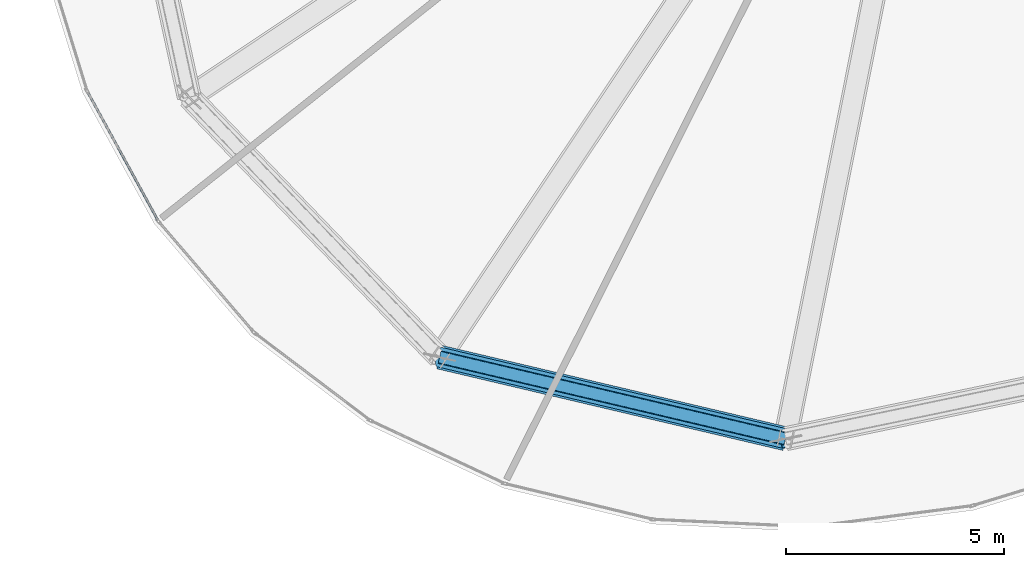
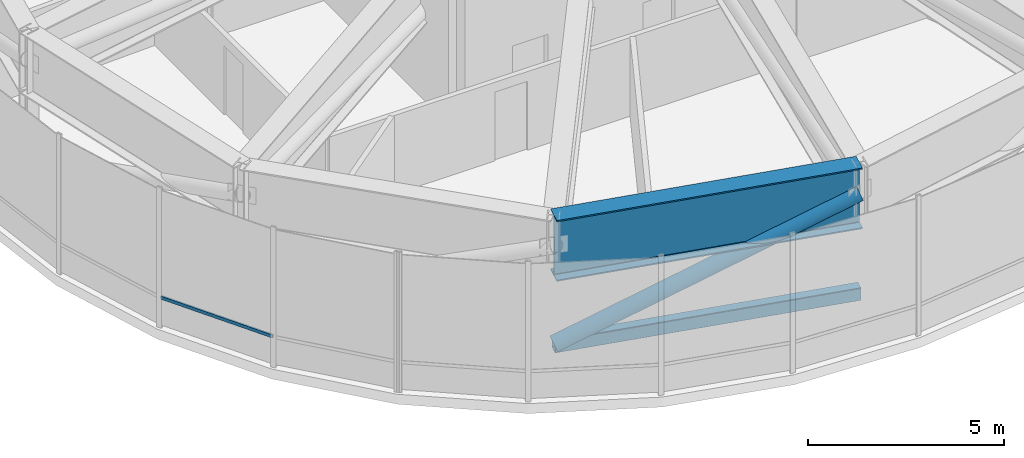
# One storey, part 3 of 26: 3 members, 1 beam, 1 element without a shape of its own.
"""IFC4 building model written with IfcOpenShell, lengths in metres."""

from ifc_helpers import new_model, si_unit, direction, frame, origin, origin_2d, place, context, subcontext, project, spatial, hollow_rectangle, hollow_circle, i_section, extrude, source, transform, mapped, material, layer, layer_set, material_profile, profile_set, type_object, element, aggregate, save


model = new_model("IFC4")

# Units and contexts
model_context = context("Model", 3, precision=1e-05, world=origin(), true_north=direction((0.0, 1.0)))
body_context = subcontext(model_context, "Body", "Model", "MODEL_VIEW")
ifc_project = project(units=[si_unit("LENGTHUNIT", "METRE"), si_unit("AREAUNIT", "SQUARE_METRE"), si_unit("VOLUMEUNIT", "CUBIC_METRE"), si_unit("PLANEANGLEUNIT", "RADIAN"), si_unit("MASSUNIT", "GRAM", prefix="KILO"), si_unit("THERMODYNAMICTEMPERATUREUNIT", "KELVIN")], contexts=[model_context])

# Site, building, storey
site_placement = place(None, origin())
site = spatial("IfcSite", under=ifc_project, at=site_placement, CompositionType="ELEMENT")
building_placement = place(site_placement, origin())
building = spatial("IfcBuilding", under=site, at=building_placement, Name="Kethvar Cultural Tower", CompositionType="ELEMENT")
storey_placement = place(building_placement, frame((0.0, 0.0, 223.60009765625)))
storey = spatial("IfcBuildingStorey", under=building, at=storey_placement, Name="L58", CompositionType="ELEMENT", Elevation=223.60009765625)

# Beam
ifc_material_1 = material(Name="Steel S460M", Category="steel")
ifc_material_profile_1 = material_profile(ifc_material_1, i_section(OverallWidth=0.550048828125, OverallDepth=1.89990234375, WebThickness=0.02490234375, FlangeThickness=0.0400390625, FilletRadius=0.02001953125, at=origin_2d()), Name="Steel S460M — PG1900x550x40x25")
ifc_profile_set_1 = profile_set([ifc_material_profile_1], Name="Steel S460M — PG1900x550x40x25")
beam_type = type_object("IfcBeamType", Name="BM-TR1900", PredefinedType="BEAM", material=ifc_profile_set_1)
shared_shape_1 = source(origin(), body_context, "Body", "SweptSolid", [
    extrude(i_section(OverallWidth=0.550048828125, OverallDepth=1.89990234375, WebThickness=0.02490234375, FlangeThickness=0.0400390625, FilletRadius=0.02001953125, at=origin_2d()), origin(), (0.0, 0.0, 1.0), 8.158935546875),
])
beam_placement = place(storey_placement, frame((34.962646484375, 10.084228515625, 3.427978515625), z_axis=(0.973284754953, -0.229601362748, 0.0), x_axis=(0.229601362748, 0.973284754953, 0.0)))
element("IfcBeam", 1, at=beam_placement, inside=storey, type_object=beam_type, Name="L58 Ring Belt Girder BG-11", PredefinedType="BEAM", context=body_context, shape_type="MappedRepresentation", body=[
    mapped(shared_shape_1, transform((0.0, 0.0, 0.0), scale=1.0)),
])

# Members
ifc_material_profile_2 = material_profile(ifc_material_1, hollow_rectangle(XDim=0.300048828125, YDim=0.39990234375, WallThickness=0.01611328125, InnerFilletRadius=0.01611328125, OuterFilletRadius=0.031982421875, at=origin_2d()), Name="Steel S460M — RHS400x300x16")
ifc_profile_set_2 = profile_set([ifc_material_profile_2], Name="Steel S460M — RHS400x300x16")
member_type_1 = type_object("IfcMemberType", Name="MB-CHD-400", PredefinedType="CHORD", material=ifc_profile_set_2)
shared_shape_2 = source(origin(), body_context, "Body", "SweptSolid", [
    extrude(hollow_rectangle(XDim=0.300048828125, YDim=0.39990234375, WallThickness=0.01611328125, InnerFilletRadius=0.01611328125, OuterFilletRadius=0.031982421875, at=origin_2d()), origin(), (0.0, 0.0, 1.0), 8.158935546875),
])
member_1_placement = place(storey_placement, frame((34.962646484375, 10.084228515625, 0.349853515625), z_axis=(0.973284754953, -0.229601362748, 0.0), x_axis=(0.229601362748, 0.973284754953, 0.0)))
element("IfcMember", 2, at=member_1_placement, inside=storey, type_object=member_type_1, Name="L58 Ring Belt Bottom Chord BC-11", PredefinedType="CHORD", context=body_context, shape_type="MappedRepresentation", body=[
    mapped(shared_shape_2, transform((0.0, 0.0, 0.0), scale=1.0)),
])
ifc_material_2 = material(Name="Steel S355J2", Category="steel")
ifc_material_profile_3 = material_profile(ifc_material_2, hollow_circle(Radius=0.228515625, WallThickness=0.01611328125, at=origin_2d()), Name="Steel S355J2 — CHS457x16")
ifc_profile_set_3 = profile_set([ifc_material_profile_3], Name="Steel S355J2 — CHS457x16")
member_type_2 = type_object("IfcMemberType", Name="MB-OUT-457", PredefinedType="BRACE", material=ifc_profile_set_3)
shared_shape_3 = source(origin(), body_context, "Body", "SweptSolid", [
    extrude(hollow_circle(Radius=0.228515625, WallThickness=0.01611328125, at=origin_2d()), origin(), (0.0, 0.0, 1.0), 8.72021484375),
])
member_2_placement = place(storey_placement, frame((34.962646484375, 10.084228515625, 0.349853515625), z_axis=(0.910632671358, -0.214821511632, 0.352987047915), x_axis=(0.229601362748, 0.973284754953, 0.0)))
element("IfcMember", 3, at=member_2_placement, inside=storey, type_object=member_type_2, Name="L58 Ring Belt Diagonal BD-11", PredefinedType="BRACE", context=body_context, shape_type="MappedRepresentation", body=[
    mapped(shared_shape_3, transform((0.0, 0.0, 0.0), scale=1.0)),
])

# Curtain wall, member
ifc_material_3 = material(Name="Aluminium 6063-T6", Category="aluminium")
ifc_layer = layer(ifc_material_3, 0.179931640625, Name="Aluminium 6063-T6", Category="aluminium")
ifc_layer_set = layer_set([ifc_layer], Name="Aluminium 6063-T6 (180 mm)")
curtain_wall_type = type_object("IfcCurtainWallType", Name="CW-SYS-04-Z34", PredefinedType="NOTDEFINED", material=ifc_layer_set)
curtain_wall_placement = place(storey_placement, origin())
curtain_wall = element("IfcCurtainWall", 4, at=curtain_wall_placement, inside=storey, type_object=curtain_wall_type, Name="L58 Curtain Wall Run 03", PredefinedType="NOTDEFINED")
ifc_material_profile_4 = material_profile(ifc_material_3, hollow_rectangle(XDim=0.050048828125, YDim=0.10009765625, WallThickness=0.00390625, at=origin_2d()), Name="Aluminium 6063-T6 — RHS100x50x4")
ifc_profile_set_4 = profile_set([ifc_material_profile_4], Name="Aluminium 6063-T6 — RHS100x50x4")
member_type_3 = type_object("IfcMemberType", Name="CW-SYS-04-Z34-TRN", PredefinedType="USERDEFINED", material=ifc_profile_set_4)
shared_shape_4 = source(origin(), body_context, "Body", "SweptSolid", [
    extrude(hollow_rectangle(XDim=0.050048828125, YDim=0.10009765625, WallThickness=0.00390625, at=origin_2d()), origin(), (0.0, 0.0, 1.0), 3.344970703125),
])
member_3_placement = place(storey_placement, frame((26.887451171875, 16.163818359375, 0.949951171875), z_axis=(0.480242431806, -0.877135797179, 0.0), x_axis=(0.877135797179, 0.480242431806, 0.0)))
member_3 = element("IfcMember", 5, at=member_3_placement, type_object=member_type_3, Name="CW-L58-R03 Transom 5", ObjectType="TRANSOM", PredefinedType="USERDEFINED", context=body_context, shape_type="MappedRepresentation", body=[
    mapped(shared_shape_4, transform((0.0, 0.0, 0.0), scale=1.0)),
])
aggregate(curtain_wall, [member_3])

save(model, "model.ifc")
